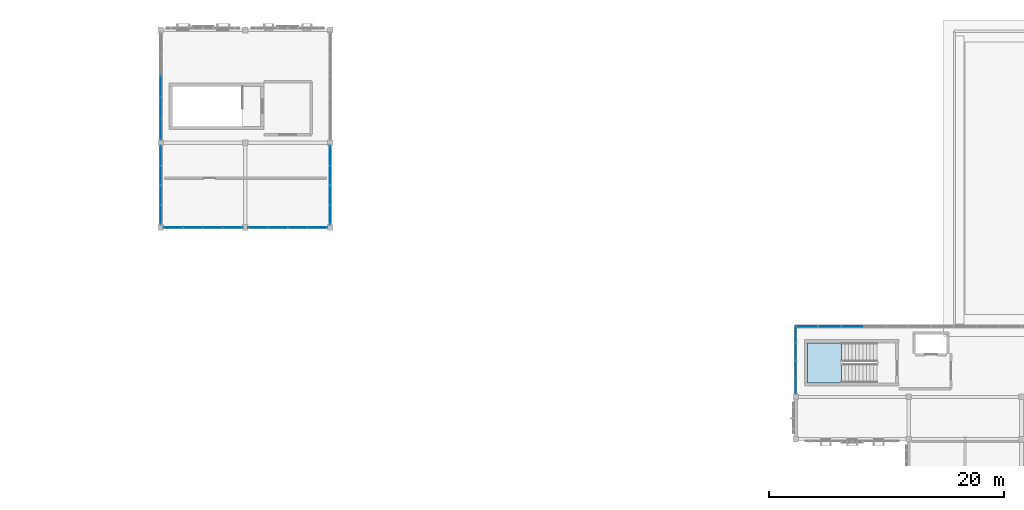
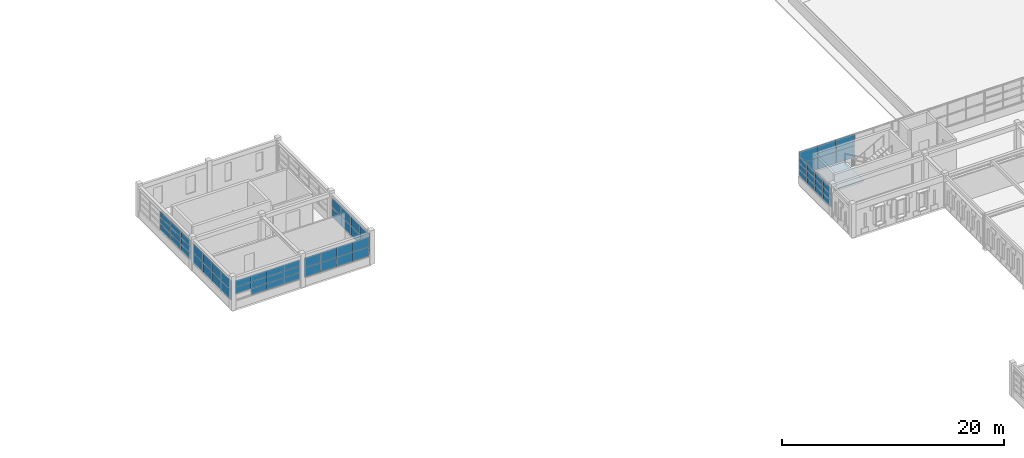
# One storey, part 21 of 53: 62 plates, 1 slab, 8 elements without a shape of their own.
"""IFC4 building model written with IfcOpenShell, lengths in metres."""

from ifc_helpers import new_model, si_unit, direction, frame, origin, origin_2d, place, context, subcontext, project, spatial, polyline, rectangle, outline, extrude, material, layer, layer_set, type_object, element, aggregate, save


model = new_model("IFC4")

# Units and contexts
model_context = context("Model", 3, precision=1e-05, world=origin(), true_north=direction((0.0, 1.0)))
body_context = subcontext(model_context, "Body", "Model", "MODEL_VIEW")
ifc_project = project(units=[si_unit("LENGTHUNIT", "METRE"), si_unit("AREAUNIT", "SQUARE_METRE"), si_unit("VOLUMEUNIT", "CUBIC_METRE"), si_unit("PLANEANGLEUNIT", "RADIAN"), si_unit("MASSUNIT", "GRAM", prefix="KILO")], contexts=[model_context])

# Site, building, storey
site_placement = place(None, origin())
site = spatial("IfcSite", under=ifc_project, at=site_placement, CompositionType="ELEMENT")
building_placement = place(site_placement, origin())
building = spatial("IfcBuilding", under=site, at=building_placement, Name="Nzembalo Square Collegiate School", CompositionType="ELEMENT")
storey_placement = place(building_placement, frame((0.0, 0.0, 13.60009765625)))
storey = spatial("IfcBuildingStorey", under=building, at=storey_placement, Name="L03", CompositionType="ELEMENT", Elevation=13.60009765625)

# Curtain wall, plates
ifc_material_1 = material(Name="Aluminium 6060-T66", Category="aluminium")
curtain_wall_type_1 = type_object("IfcCurtainWallType", Name="CW-02", PredefinedType="USERDEFINED", material=ifc_material_1)
curtain_wall_1_placement = place(storey_placement, origin())
curtain_wall_1 = element("IfcCurtainWall", 1, at=curtain_wall_1_placement, inside=storey, type_object=curtain_wall_type_1, Name="Curtain wall CW-02 cw:L03:121", ObjectType="UNITISED", PredefinedType="USERDEFINED")
ifc_material_2 = material(Name="Laminated solar-control double glazing", Category="glass")
ifc_layer_1 = layer(ifc_material_2, 0.028076171875, Name="Laminated solar-control double glazing")
ifc_layer_set_1 = layer_set([ifc_layer_1], Name="Laminated solar-control double glazing")
plate_type_1 = type_object("IfcPlateType", Name="PN01", PredefinedType="CURTAIN_PANEL", material=ifc_layer_set_1)
plate_1_placement = place(storey_placement, frame((130.800048828125, 83.76171875, 0.85400390625), z_axis=(0.0, 0.0, 1.0), x_axis=(0.0, 1.0, 0.0)))
plate_1 = element("IfcPlate", 2, at=plate_1_placement, type_object=plate_type_1, Name="PN01 glazed panel 1-1", PredefinedType="CURTAIN_PANEL", context=body_context, shape_type="SweptSolid", body=[
    extrude(rectangle(XDim=1.431396484375, YDim=0.028076171875, at=origin_2d()), origin(), (0.0, 0.0, 1.0), 0.6982421875),
])
plate_2_placement = place(storey_placement, frame((130.800048828125, 85.201171875, 0.85400390625), z_axis=(0.0, 0.0, 1.0), x_axis=(0.0, 1.0, 0.0)))
plate_2 = element("IfcPlate", 3, at=plate_2_placement, type_object=plate_type_1, Name="PN01 glazed panel 1-2", PredefinedType="CURTAIN_PANEL", context=body_context, shape_type="SweptSolid", body=[
    extrude(rectangle(XDim=1.431396484375, YDim=0.028076171875, at=origin_2d()), origin(), (0.0, 0.0, 1.0), 0.6982421875),
])
plate_3_placement = place(storey_placement, frame((130.800048828125, 86.640869140625, 0.85400390625), z_axis=(0.0, 0.0, 1.0), x_axis=(0.0, 1.0, 0.0)))
plate_3 = element("IfcPlate", 4, at=plate_3_placement, type_object=plate_type_1, Name="PN01 glazed panel 1-3", PredefinedType="CURTAIN_PANEL", context=body_context, shape_type="SweptSolid", body=[
    extrude(rectangle(XDim=1.431396484375, YDim=0.028076171875, at=origin_2d()), origin(), (0.0, 0.0, 1.0), 0.6982421875),
])
plate_4_placement = place(storey_placement, frame((130.800048828125, 88.080322265625, 0.85400390625), z_axis=(0.0, 0.0, 1.0), x_axis=(0.0, 1.0, 0.0)))
plate_4 = element("IfcPlate", 5, at=plate_4_placement, type_object=plate_type_1, Name="PN01 glazed panel 1-4", PredefinedType="CURTAIN_PANEL", context=body_context, shape_type="SweptSolid", body=[
    extrude(rectangle(XDim=1.431396484375, YDim=0.028076171875, at=origin_2d()), origin(), (0.0, 0.0, 1.0), 0.6982421875),
])
plate_5_placement = place(storey_placement, frame((130.800048828125, 83.76171875, 1.560302734375), z_axis=(0.0, 0.0, 1.0), x_axis=(0.0, 1.0, 0.0)))
plate_5 = element("IfcPlate", 6, at=plate_5_placement, type_object=plate_type_1, Name="PN01 glazed panel 2-1", PredefinedType="CURTAIN_PANEL", context=body_context, shape_type="SweptSolid", body=[
    extrude(rectangle(XDim=1.431396484375, YDim=0.028076171875, at=origin_2d()), origin(), (0.0, 0.0, 1.0), 0.6982421875),
])
plate_6_placement = place(storey_placement, frame((130.800048828125, 85.201171875, 1.560302734375), z_axis=(0.0, 0.0, 1.0), x_axis=(0.0, 1.0, 0.0)))
plate_6 = element("IfcPlate", 7, at=plate_6_placement, type_object=plate_type_1, Name="PN01 glazed panel 2-2", PredefinedType="CURTAIN_PANEL", context=body_context, shape_type="SweptSolid", body=[
    extrude(rectangle(XDim=1.431396484375, YDim=0.028076171875, at=origin_2d()), origin(), (0.0, 0.0, 1.0), 0.6982421875),
])
plate_7_placement = place(storey_placement, frame((130.800048828125, 86.640869140625, 1.560302734375), z_axis=(0.0, 0.0, 1.0), x_axis=(0.0, 1.0, 0.0)))
plate_7 = element("IfcPlate", 8, at=plate_7_placement, type_object=plate_type_1, Name="PN01 glazed panel 2-3", PredefinedType="CURTAIN_PANEL", context=body_context, shape_type="SweptSolid", body=[
    extrude(rectangle(XDim=1.431396484375, YDim=0.028076171875, at=origin_2d()), origin(), (0.0, 0.0, 1.0), 0.6982421875),
])
plate_8_placement = place(storey_placement, frame((130.800048828125, 88.080322265625, 1.560302734375), z_axis=(0.0, 0.0, 1.0), x_axis=(0.0, 1.0, 0.0)))
plate_8 = element("IfcPlate", 9, at=plate_8_placement, type_object=plate_type_1, Name="PN01 glazed panel 2-4", PredefinedType="CURTAIN_PANEL", context=body_context, shape_type="SweptSolid", body=[
    extrude(rectangle(XDim=1.431396484375, YDim=0.028076171875, at=origin_2d()), origin(), (0.0, 0.0, 1.0), 0.6982421875),
])
plate_9_placement = place(storey_placement, frame((130.800048828125, 83.76171875, 2.2666015625), z_axis=(0.0, 0.0, 1.0), x_axis=(0.0, 1.0, 0.0)))
plate_9 = element("IfcPlate", 10, at=plate_9_placement, type_object=plate_type_1, Name="PN01 glazed panel 3-1", PredefinedType="CURTAIN_PANEL", context=body_context, shape_type="SweptSolid", body=[
    extrude(rectangle(XDim=1.431396484375, YDim=0.028076171875, at=origin_2d()), origin(), (0.0, 0.0, 1.0), 0.6982421875),
])
plate_10_placement = place(storey_placement, frame((130.800048828125, 85.201171875, 2.2666015625), z_axis=(0.0, 0.0, 1.0), x_axis=(0.0, 1.0, 0.0)))
plate_10 = element("IfcPlate", 11, at=plate_10_placement, type_object=plate_type_1, Name="PN01 glazed panel 3-2", PredefinedType="CURTAIN_PANEL", context=body_context, shape_type="SweptSolid", body=[
    extrude(rectangle(XDim=1.431396484375, YDim=0.028076171875, at=origin_2d()), origin(), (0.0, 0.0, 1.0), 0.6982421875),
])
plate_11_placement = place(storey_placement, frame((130.800048828125, 86.640869140625, 2.2666015625), z_axis=(0.0, 0.0, 1.0), x_axis=(0.0, 1.0, 0.0)))
plate_11 = element("IfcPlate", 12, at=plate_11_placement, type_object=plate_type_1, Name="PN01 glazed panel 3-3", PredefinedType="CURTAIN_PANEL", context=body_context, shape_type="SweptSolid", body=[
    extrude(rectangle(XDim=1.431396484375, YDim=0.028076171875, at=origin_2d()), origin(), (0.0, 0.0, 1.0), 0.6982421875),
])
plate_12_placement = place(storey_placement, frame((130.800048828125, 88.080322265625, 2.2666015625), z_axis=(0.0, 0.0, 1.0), x_axis=(0.0, 1.0, 0.0)))
plate_12 = element("IfcPlate", 13, at=plate_12_placement, type_object=plate_type_1, Name="PN01 glazed panel 3-4", PredefinedType="CURTAIN_PANEL", context=body_context, shape_type="SweptSolid", body=[
    extrude(rectangle(XDim=1.431396484375, YDim=0.028076171875, at=origin_2d()), origin(), (0.0, 0.0, 1.0), 0.6982421875),
])
aggregate(curtain_wall_1, [plate_1, plate_2, plate_3, plate_4, plate_5, plate_6, plate_7, plate_8, plate_9, plate_10, plate_11, plate_12])

ifc_material_3 = material(Name="Aluminium 6060-T66", Category="aluminium")
curtain_wall_type_2 = type_object("IfcCurtainWallType", Name="CW-09", PredefinedType="USERDEFINED", material=ifc_material_3)
curtain_wall_2_placement = place(storey_placement, origin())
curtain_wall_2 = element("IfcCurtainWall", 14, at=curtain_wall_2_placement, inside=storey, type_object=curtain_wall_type_2, Name="Curtain wall CW-09 cw:L03:136", ObjectType="UNITISED", PredefinedType="USERDEFINED")
plate_13_placement = place(storey_placement, frame((76.800048828125, 105.5537109375, 0.85400390625), z_axis=(0.0, 0.0, 1.0), x_axis=(0.0, 1.0, 0.0)))
plate_13 = element("IfcPlate", 15, at=plate_13_placement, type_object=plate_type_1, Name="PN01 glazed panel 1-1", PredefinedType="CURTAIN_PANEL", context=body_context, shape_type="SweptSolid", body=[
    extrude(rectangle(XDim=1.815185546875, YDim=0.028076171875, at=origin_2d()), origin(), (0.0, 0.0, 1.0), 0.6982421875),
])
plate_14_placement = place(storey_placement, frame((76.800048828125, 107.376708984375, 0.85400390625), z_axis=(0.0, 0.0, 1.0), x_axis=(0.0, 1.0, 0.0)))
plate_14 = element("IfcPlate", 16, at=plate_14_placement, type_object=plate_type_1, Name="PN01 glazed panel 1-2", PredefinedType="CURTAIN_PANEL", context=body_context, shape_type="SweptSolid", body=[
    extrude(rectangle(XDim=1.815185546875, YDim=0.028076171875, at=origin_2d()), origin(), (0.0, 0.0, 1.0), 0.6982421875),
])
plate_15_placement = place(storey_placement, frame((76.800048828125, 109.199951171875, 0.85400390625), z_axis=(0.0, 0.0, 1.0), x_axis=(0.0, 1.0, 0.0)))
plate_15 = element("IfcPlate", 17, at=plate_15_placement, type_object=plate_type_1, Name="PN01 glazed panel 1-3", PredefinedType="CURTAIN_PANEL", context=body_context, shape_type="SweptSolid", body=[
    extrude(rectangle(XDim=1.815185546875, YDim=0.028076171875, at=origin_2d()), origin(), (0.0, 0.0, 1.0), 0.6982421875),
])
plate_16_placement = place(storey_placement, frame((76.800048828125, 105.5537109375, 1.560302734375), z_axis=(0.0, 0.0, 1.0), x_axis=(0.0, 1.0, 0.0)))
plate_16 = element("IfcPlate", 18, at=plate_16_placement, type_object=plate_type_1, Name="PN01 glazed panel 2-1", PredefinedType="CURTAIN_PANEL", context=body_context, shape_type="SweptSolid", body=[
    extrude(rectangle(XDim=1.815185546875, YDim=0.028076171875, at=origin_2d()), origin(), (0.0, 0.0, 1.0), 0.6982421875),
])
plate_17_placement = place(storey_placement, frame((76.800048828125, 107.376708984375, 1.560302734375), z_axis=(0.0, 0.0, 1.0), x_axis=(0.0, 1.0, 0.0)))
plate_17 = element("IfcPlate", 19, at=plate_17_placement, type_object=plate_type_1, Name="PN01 glazed panel 2-2", PredefinedType="CURTAIN_PANEL", context=body_context, shape_type="SweptSolid", body=[
    extrude(rectangle(XDim=1.815185546875, YDim=0.028076171875, at=origin_2d()), origin(), (0.0, 0.0, 1.0), 0.6982421875),
])
plate_18_placement = place(storey_placement, frame((76.800048828125, 109.199951171875, 1.560302734375), z_axis=(0.0, 0.0, 1.0), x_axis=(0.0, 1.0, 0.0)))
plate_18 = element("IfcPlate", 20, at=plate_18_placement, type_object=plate_type_1, Name="PN01 glazed panel 2-3", PredefinedType="CURTAIN_PANEL", context=body_context, shape_type="SweptSolid", body=[
    extrude(rectangle(XDim=1.815185546875, YDim=0.028076171875, at=origin_2d()), origin(), (0.0, 0.0, 1.0), 0.6982421875),
])
plate_19_placement = place(storey_placement, frame((76.800048828125, 105.5537109375, 2.2666015625), z_axis=(0.0, 0.0, 1.0), x_axis=(0.0, 1.0, 0.0)))
plate_19 = element("IfcPlate", 21, at=plate_19_placement, type_object=plate_type_1, Name="PN01 glazed panel 3-1", PredefinedType="CURTAIN_PANEL", context=body_context, shape_type="SweptSolid", body=[
    extrude(rectangle(XDim=1.815185546875, YDim=0.028076171875, at=origin_2d()), origin(), (0.0, 0.0, 1.0), 0.6982421875),
])
plate_20_placement = place(storey_placement, frame((76.800048828125, 107.376708984375, 2.2666015625), z_axis=(0.0, 0.0, 1.0), x_axis=(0.0, 1.0, 0.0)))
plate_20 = element("IfcPlate", 22, at=plate_20_placement, type_object=plate_type_1, Name="PN01 glazed panel 3-2", PredefinedType="CURTAIN_PANEL", context=body_context, shape_type="SweptSolid", body=[
    extrude(rectangle(XDim=1.815185546875, YDim=0.028076171875, at=origin_2d()), origin(), (0.0, 0.0, 1.0), 0.6982421875),
])
plate_21_placement = place(storey_placement, frame((76.800048828125, 109.199951171875, 2.2666015625), z_axis=(0.0, 0.0, 1.0), x_axis=(0.0, 1.0, 0.0)))
plate_21 = element("IfcPlate", 23, at=plate_21_placement, type_object=plate_type_1, Name="PN01 glazed panel 3-3", PredefinedType="CURTAIN_PANEL", context=body_context, shape_type="SweptSolid", body=[
    extrude(rectangle(XDim=1.815185546875, YDim=0.028076171875, at=origin_2d()), origin(), (0.0, 0.0, 1.0), 0.6982421875),
])
aggregate(curtain_wall_2, [plate_13, plate_14, plate_15, plate_16, plate_17, plate_18, plate_19, plate_20, plate_21])

ifc_material_4 = material(Name="Aluminium 6060-T66", Category="aluminium")
curtain_wall_type_3 = type_object("IfcCurtainWallType", Name="CW-11", PredefinedType="USERDEFINED", material=ifc_material_4)
curtain_wall_3_placement = place(storey_placement, origin())
curtain_wall_3 = element("IfcCurtainWall", 24, at=curtain_wall_3_placement, inside=storey, type_object=curtain_wall_type_3, Name="Curtain wall CW-11 cw:L03:122", ObjectType="LANCET", PredefinedType="USERDEFINED")
ifc_material_5 = material(Name="Acoustic laminated solar-control glazing", Category="glass")
ifc_layer_2 = layer(ifc_material_5, 0.031982421875, Name="Acoustic laminated solar-control glazing")
ifc_layer_set_2 = layer_set([ifc_layer_2], Name="Acoustic laminated solar-control glazing")
plate_type_2 = type_object("IfcPlateType", Name="PN02", PredefinedType="CURTAIN_PANEL", material=ifc_layer_set_2)
plate_22_placement = place(storey_placement, frame((131.760009765625, 88.800048828125, 0.85400390625), z_axis=(0.0, 0.0, 1.0), x_axis=(1.0, 0.0, 0.0)))
plate_22 = element("IfcPlate", 25, at=plate_22_placement, type_object=plate_type_2, Name="PN02 glazed panel 1-1", PredefinedType="CURTAIN_PANEL", context=body_context, shape_type="SweptSolid", body=[
    extrude(rectangle(XDim=1.912109375, YDim=0.031982421875, at=origin_2d()), origin(), (0.0, 0.0, 1.0), 1.283935546875),
])
plate_23_placement = place(storey_placement, frame((133.679931640625, 88.800048828125, 0.85400390625), z_axis=(0.0, 0.0, 1.0), x_axis=(1.0, 0.0, 0.0)))
plate_23 = element("IfcPlate", 26, at=plate_23_placement, type_object=plate_type_2, Name="PN02 glazed panel 1-2", PredefinedType="CURTAIN_PANEL", context=body_context, shape_type="SweptSolid", body=[
    extrude(rectangle(XDim=1.912109375, YDim=0.031982421875, at=origin_2d()), origin(), (0.0, 0.0, 1.0), 1.283935546875),
])
plate_24_placement = place(storey_placement, frame((135.60009765625, 88.800048828125, 0.85400390625), z_axis=(0.0, 0.0, 1.0), x_axis=(1.0, 0.0, 0.0)))
plate_24 = element("IfcPlate", 27, at=plate_24_placement, type_object=plate_type_2, Name="PN02 glazed panel 1-3", PredefinedType="CURTAIN_PANEL", context=body_context, shape_type="SweptSolid", body=[
    extrude(rectangle(XDim=1.912109375, YDim=0.031982421875, at=origin_2d()), origin(), (0.0, 0.0, 1.0), 1.283935546875),
])
plate_25_placement = place(storey_placement, frame((131.760009765625, 88.800048828125, 2.14599609375), z_axis=(0.0, 0.0, 1.0), x_axis=(1.0, 0.0, 0.0)))
plate_25 = element("IfcPlate", 28, at=plate_25_placement, type_object=plate_type_2, Name="PN02 glazed panel 2-1", PredefinedType="CURTAIN_PANEL", context=body_context, shape_type="SweptSolid", body=[
    extrude(rectangle(XDim=1.912109375, YDim=0.031982421875, at=origin_2d()), origin(), (0.0, 0.0, 1.0), 1.283935546875),
])
plate_26_placement = place(storey_placement, frame((133.679931640625, 88.800048828125, 2.14599609375), z_axis=(0.0, 0.0, 1.0), x_axis=(1.0, 0.0, 0.0)))
plate_26 = element("IfcPlate", 29, at=plate_26_placement, type_object=plate_type_2, Name="PN02 glazed panel 2-2", PredefinedType="CURTAIN_PANEL", context=body_context, shape_type="SweptSolid", body=[
    extrude(rectangle(XDim=1.912109375, YDim=0.031982421875, at=origin_2d()), origin(), (0.0, 0.0, 1.0), 1.283935546875),
])
plate_27_placement = place(storey_placement, frame((135.60009765625, 88.800048828125, 2.14599609375), z_axis=(0.0, 0.0, 1.0), x_axis=(1.0, 0.0, 0.0)))
plate_27 = element("IfcPlate", 30, at=plate_27_placement, type_object=plate_type_2, Name="PN02 glazed panel 2-3", PredefinedType="CURTAIN_PANEL", context=body_context, shape_type="SweptSolid", body=[
    extrude(rectangle(XDim=1.912109375, YDim=0.031982421875, at=origin_2d()), origin(), (0.0, 0.0, 1.0), 1.283935546875),
])
aggregate(curtain_wall_3, [plate_22, plate_23, plate_24, plate_25, plate_26, plate_27])

ifc_material_6 = material(Name="Aluminium 6060-T66", Category="aluminium")
curtain_wall_type_4 = type_object("IfcCurtainWallType", Name="CW-04", PredefinedType="USERDEFINED", material=ifc_material_6)
curtain_wall_4_placement = place(storey_placement, origin())
curtain_wall_4 = element("IfcCurtainWall", 31, at=curtain_wall_4_placement, inside=storey, type_object=curtain_wall_type_4, Name="Curtain wall CW-04 cw:L03:131", ObjectType="UNITISED", PredefinedType="USERDEFINED")
plate_28_placement = place(storey_placement, frame((91.199951171875, 98.281494140625, 0.85400390625), z_axis=(0.0, 0.0, 1.0), x_axis=(0.0, 1.0, 0.0)))
plate_28 = element("IfcPlate", 32, at=plate_28_placement, type_object=plate_type_2, Name="PN02 glazed panel 1-1", PredefinedType="CURTAIN_PANEL", context=body_context, shape_type="SweptSolid", body=[
    extrude(rectangle(XDim=1.6708984375, YDim=0.031982421875, at=origin_2d()), origin(), (0.0, 0.0, 1.0), 1.071533203125),
])
plate_29_placement = place(storey_placement, frame((91.199951171875, 99.96044921875, 0.85400390625), z_axis=(0.0, 0.0, 1.0), x_axis=(0.0, 1.0, 0.0)))
plate_29 = element("IfcPlate", 33, at=plate_29_placement, type_object=plate_type_2, Name="PN02 glazed panel 1-2", PredefinedType="CURTAIN_PANEL", context=body_context, shape_type="SweptSolid", body=[
    extrude(rectangle(XDim=1.6708984375, YDim=0.031982421875, at=origin_2d()), origin(), (0.0, 0.0, 1.0), 1.071533203125),
])
plate_30_placement = place(storey_placement, frame((91.199951171875, 101.639404296875, 0.85400390625), z_axis=(0.0, 0.0, 1.0), x_axis=(0.0, 1.0, 0.0)))
plate_30 = element("IfcPlate", 34, at=plate_30_placement, type_object=plate_type_2, Name="PN02 glazed panel 1-3", PredefinedType="CURTAIN_PANEL", context=body_context, shape_type="SweptSolid", body=[
    extrude(rectangle(XDim=1.6708984375, YDim=0.031982421875, at=origin_2d()), origin(), (0.0, 0.0, 1.0), 1.071533203125),
])
plate_31_placement = place(storey_placement, frame((91.199951171875, 103.318603515625, 0.85400390625), z_axis=(0.0, 0.0, 1.0), x_axis=(0.0, 1.0, 0.0)))
plate_31 = element("IfcPlate", 35, at=plate_31_placement, type_object=plate_type_2, Name="PN02 glazed panel 1-4", PredefinedType="CURTAIN_PANEL", context=body_context, shape_type="SweptSolid", body=[
    extrude(rectangle(XDim=1.6708984375, YDim=0.031982421875, at=origin_2d()), origin(), (0.0, 0.0, 1.0), 1.071533203125),
])
plate_32_placement = place(storey_placement, frame((91.199951171875, 98.281494140625, 1.93359375), z_axis=(0.0, 0.0, 1.0), x_axis=(0.0, 1.0, 0.0)))
plate_32 = element("IfcPlate", 36, at=plate_32_placement, type_object=plate_type_2, Name="PN02 glazed panel 2-1", PredefinedType="CURTAIN_PANEL", context=body_context, shape_type="SweptSolid", body=[
    extrude(rectangle(XDim=1.6708984375, YDim=0.031982421875, at=origin_2d()), origin(), (0.0, 0.0, 1.0), 1.071533203125),
])
plate_33_placement = place(storey_placement, frame((91.199951171875, 99.96044921875, 1.93359375), z_axis=(0.0, 0.0, 1.0), x_axis=(0.0, 1.0, 0.0)))
plate_33 = element("IfcPlate", 37, at=plate_33_placement, type_object=plate_type_2, Name="PN02 glazed panel 2-2", PredefinedType="CURTAIN_PANEL", context=body_context, shape_type="SweptSolid", body=[
    extrude(rectangle(XDim=1.6708984375, YDim=0.031982421875, at=origin_2d()), origin(), (0.0, 0.0, 1.0), 1.071533203125),
])
plate_34_placement = place(storey_placement, frame((91.199951171875, 101.639404296875, 1.93359375), z_axis=(0.0, 0.0, 1.0), x_axis=(0.0, 1.0, 0.0)))
plate_34 = element("IfcPlate", 38, at=plate_34_placement, type_object=plate_type_2, Name="PN02 glazed panel 2-3", PredefinedType="CURTAIN_PANEL", context=body_context, shape_type="SweptSolid", body=[
    extrude(rectangle(XDim=1.6708984375, YDim=0.031982421875, at=origin_2d()), origin(), (0.0, 0.0, 1.0), 1.071533203125),
])
plate_35_placement = place(storey_placement, frame((91.199951171875, 103.318603515625, 1.93359375), z_axis=(0.0, 0.0, 1.0), x_axis=(0.0, 1.0, 0.0)))
plate_35 = element("IfcPlate", 39, at=plate_35_placement, type_object=plate_type_2, Name="PN02 glazed panel 2-4", PredefinedType="CURTAIN_PANEL", context=body_context, shape_type="SweptSolid", body=[
    extrude(rectangle(XDim=1.6708984375, YDim=0.031982421875, at=origin_2d()), origin(), (0.0, 0.0, 1.0), 1.071533203125),
])
aggregate(curtain_wall_4, [plate_28, plate_29, plate_30, plate_31, plate_32, plate_33, plate_34, plate_35])

ifc_material_7 = material(Name="Aluminium 6060-T66", Category="aluminium")
curtain_wall_type_5 = type_object("IfcCurtainWallType", Name="CW-06", PredefinedType="USERDEFINED", material=ifc_material_7)
curtain_wall_5_placement = place(storey_placement, origin())
curtain_wall_5 = element("IfcCurtainWall", 40, at=curtain_wall_5_placement, inside=storey, type_object=curtain_wall_type_5, Name="Curtain wall CW-06 cw:L03:133", ObjectType="LANCET", PredefinedType="USERDEFINED")
plate_36_placement = place(storey_placement, frame((79.560546875, 97.199951171875, 0.85400390625), z_axis=(0.0, 0.0, 1.0), x_axis=(1.0, 0.0, 0.0)))
plate_36 = element("IfcPlate", 41, at=plate_36_placement, type_object=plate_type_2, Name="PN02 glazed panel 1-2", PredefinedType="CURTAIN_PANEL", context=body_context, shape_type="SweptSolid", body=[
    extrude(rectangle(XDim=1.6708984375, YDim=0.031982421875, at=origin_2d()), origin(), (0.0, 0.0, 1.0), 0.711669921875),
])
plate_37_placement = place(storey_placement, frame((81.239501953125, 97.199951171875, 0.85400390625), z_axis=(0.0, 0.0, 1.0), x_axis=(1.0, 0.0, 0.0)))
plate_37 = element("IfcPlate", 42, at=plate_37_placement, type_object=plate_type_2, Name="PN02 glazed panel 1-3", PredefinedType="CURTAIN_PANEL", context=body_context, shape_type="SweptSolid", body=[
    extrude(rectangle(XDim=1.6708984375, YDim=0.031982421875, at=origin_2d()), origin(), (0.0, 0.0, 1.0), 0.711669921875),
])
plate_38_placement = place(storey_placement, frame((82.91845703125, 97.199951171875, 0.85400390625), z_axis=(0.0, 0.0, 1.0), x_axis=(1.0, 0.0, 0.0)))
plate_38 = element("IfcPlate", 43, at=plate_38_placement, type_object=plate_type_2, Name="PN02 glazed panel 1-4", PredefinedType="CURTAIN_PANEL", context=body_context, shape_type="SweptSolid", body=[
    extrude(rectangle(XDim=1.6708984375, YDim=0.031982421875, at=origin_2d()), origin(), (0.0, 0.0, 1.0), 0.711669921875),
])
plate_39_placement = place(storey_placement, frame((77.881591796875, 97.199951171875, 1.57373046875), z_axis=(0.0, 0.0, 1.0), x_axis=(1.0, 0.0, 0.0)))
plate_39 = element("IfcPlate", 44, at=plate_39_placement, type_object=plate_type_2, Name="PN02 glazed panel 2-1", PredefinedType="CURTAIN_PANEL", context=body_context, shape_type="SweptSolid", body=[
    extrude(rectangle(XDim=1.6708984375, YDim=0.031982421875, at=origin_2d()), origin(), (0.0, 0.0, 1.0), 0.711669921875),
])
plate_40_placement = place(storey_placement, frame((79.560546875, 97.199951171875, 1.57373046875), z_axis=(0.0, 0.0, 1.0), x_axis=(1.0, 0.0, 0.0)))
plate_40 = element("IfcPlate", 45, at=plate_40_placement, type_object=plate_type_2, Name="PN02 glazed panel 2-2", PredefinedType="CURTAIN_PANEL", context=body_context, shape_type="SweptSolid", body=[
    extrude(rectangle(XDim=1.6708984375, YDim=0.031982421875, at=origin_2d()), origin(), (0.0, 0.0, 1.0), 0.711669921875),
])
plate_41_placement = place(storey_placement, frame((81.239501953125, 97.199951171875, 1.57373046875), z_axis=(0.0, 0.0, 1.0), x_axis=(1.0, 0.0, 0.0)))
plate_41 = element("IfcPlate", 46, at=plate_41_placement, type_object=plate_type_2, Name="PN02 glazed panel 2-3", PredefinedType="CURTAIN_PANEL", context=body_context, shape_type="SweptSolid", body=[
    extrude(rectangle(XDim=1.6708984375, YDim=0.031982421875, at=origin_2d()), origin(), (0.0, 0.0, 1.0), 0.711669921875),
])
plate_42_placement = place(storey_placement, frame((82.91845703125, 97.199951171875, 1.57373046875), z_axis=(0.0, 0.0, 1.0), x_axis=(1.0, 0.0, 0.0)))
plate_42 = element("IfcPlate", 47, at=plate_42_placement, type_object=plate_type_2, Name="PN02 glazed panel 2-4", PredefinedType="CURTAIN_PANEL", context=body_context, shape_type="SweptSolid", body=[
    extrude(rectangle(XDim=1.6708984375, YDim=0.031982421875, at=origin_2d()), origin(), (0.0, 0.0, 1.0), 0.711669921875),
])
plate_43_placement = place(storey_placement, frame((77.881591796875, 97.199951171875, 2.29345703125), z_axis=(0.0, 0.0, 1.0), x_axis=(1.0, 0.0, 0.0)))
plate_43 = element("IfcPlate", 48, at=plate_43_placement, type_object=plate_type_2, Name="PN02 glazed panel 3-1", PredefinedType="CURTAIN_PANEL", context=body_context, shape_type="SweptSolid", body=[
    extrude(rectangle(XDim=1.6708984375, YDim=0.031982421875, at=origin_2d()), origin(), (0.0, 0.0, 1.0), 0.711669921875),
])
plate_44_placement = place(storey_placement, frame((79.560546875, 97.199951171875, 2.29345703125), z_axis=(0.0, 0.0, 1.0), x_axis=(1.0, 0.0, 0.0)))
plate_44 = element("IfcPlate", 49, at=plate_44_placement, type_object=plate_type_2, Name="PN02 glazed panel 3-2", PredefinedType="CURTAIN_PANEL", context=body_context, shape_type="SweptSolid", body=[
    extrude(rectangle(XDim=1.6708984375, YDim=0.031982421875, at=origin_2d()), origin(), (0.0, 0.0, 1.0), 0.711669921875),
])
plate_45_placement = place(storey_placement, frame((81.239501953125, 97.199951171875, 2.29345703125), z_axis=(0.0, 0.0, 1.0), x_axis=(1.0, 0.0, 0.0)))
plate_45 = element("IfcPlate", 50, at=plate_45_placement, type_object=plate_type_2, Name="PN02 glazed panel 3-3", PredefinedType="CURTAIN_PANEL", context=body_context, shape_type="SweptSolid", body=[
    extrude(rectangle(XDim=1.6708984375, YDim=0.031982421875, at=origin_2d()), origin(), (0.0, 0.0, 1.0), 0.711669921875),
])
plate_46_placement = place(storey_placement, frame((82.91845703125, 97.199951171875, 2.29345703125), z_axis=(0.0, 0.0, 1.0), x_axis=(1.0, 0.0, 0.0)))
plate_46 = element("IfcPlate", 51, at=plate_46_placement, type_object=plate_type_2, Name="PN02 glazed panel 3-4", PredefinedType="CURTAIN_PANEL", context=body_context, shape_type="SweptSolid", body=[
    extrude(rectangle(XDim=1.6708984375, YDim=0.031982421875, at=origin_2d()), origin(), (0.0, 0.0, 1.0), 0.711669921875),
])
aggregate(curtain_wall_5, [plate_36, plate_37, plate_38, plate_39, plate_40, plate_41, plate_42, plate_43, plate_44, plate_45, plate_46])

ifc_material_8 = material(Name="Aluminium 6060-T66", Category="aluminium")
curtain_wall_type_6 = type_object("IfcCurtainWallType", Name="CW-07", PredefinedType="USERDEFINED", material=ifc_material_8)
curtain_wall_6_placement = place(storey_placement, origin())
curtain_wall_6 = element("IfcCurtainWall", 52, at=curtain_wall_6_placement, inside=storey, type_object=curtain_wall_type_6, Name="Curtain wall CW-07 cw:L03:134", ObjectType="LANCET", PredefinedType="USERDEFINED")
plate_47_placement = place(storey_placement, frame((85.08154296875, 97.199951171875, 0.85400390625), z_axis=(0.0, 0.0, 1.0), x_axis=(1.0, 0.0, 0.0)))
plate_47 = element("IfcPlate", 53, at=plate_47_placement, type_object=plate_type_2, Name="PN02 glazed panel 1-1", PredefinedType="CURTAIN_PANEL", context=body_context, shape_type="SweptSolid", body=[
    extrude(rectangle(XDim=1.6708984375, YDim=0.031982421875, at=origin_2d()), origin(), (0.0, 0.0, 1.0), 1.071533203125),
])
plate_48_placement = place(storey_placement, frame((86.760498046875, 97.199951171875, 0.85400390625), z_axis=(0.0, 0.0, 1.0), x_axis=(1.0, 0.0, 0.0)))
plate_48 = element("IfcPlate", 54, at=plate_48_placement, type_object=plate_type_2, Name="PN02 glazed panel 1-2", PredefinedType="CURTAIN_PANEL", context=body_context, shape_type="SweptSolid", body=[
    extrude(rectangle(XDim=1.6708984375, YDim=0.031982421875, at=origin_2d()), origin(), (0.0, 0.0, 1.0), 1.071533203125),
])
plate_49_placement = place(storey_placement, frame((88.439453125, 97.199951171875, 0.85400390625), z_axis=(0.0, 0.0, 1.0), x_axis=(1.0, 0.0, 0.0)))
plate_49 = element("IfcPlate", 55, at=plate_49_placement, type_object=plate_type_2, Name="PN02 glazed panel 1-3", PredefinedType="CURTAIN_PANEL", context=body_context, shape_type="SweptSolid", body=[
    extrude(rectangle(XDim=1.6708984375, YDim=0.031982421875, at=origin_2d()), origin(), (0.0, 0.0, 1.0), 1.071533203125),
])
plate_50_placement = place(storey_placement, frame((90.118408203125, 97.199951171875, 0.85400390625), z_axis=(0.0, 0.0, 1.0), x_axis=(1.0, 0.0, 0.0)))
plate_50 = element("IfcPlate", 56, at=plate_50_placement, type_object=plate_type_2, Name="PN02 glazed panel 1-4", PredefinedType="CURTAIN_PANEL", context=body_context, shape_type="SweptSolid", body=[
    extrude(rectangle(XDim=1.6708984375, YDim=0.031982421875, at=origin_2d()), origin(), (0.0, 0.0, 1.0), 1.071533203125),
])
plate_51_placement = place(storey_placement, frame((85.08154296875, 97.199951171875, 1.93359375), z_axis=(0.0, 0.0, 1.0), x_axis=(1.0, 0.0, 0.0)))
plate_51 = element("IfcPlate", 57, at=plate_51_placement, type_object=plate_type_2, Name="PN02 glazed panel 2-1", PredefinedType="CURTAIN_PANEL", context=body_context, shape_type="SweptSolid", body=[
    extrude(rectangle(XDim=1.6708984375, YDim=0.031982421875, at=origin_2d()), origin(), (0.0, 0.0, 1.0), 1.071533203125),
])
plate_52_placement = place(storey_placement, frame((86.760498046875, 97.199951171875, 1.93359375), z_axis=(0.0, 0.0, 1.0), x_axis=(1.0, 0.0, 0.0)))
plate_52 = element("IfcPlate", 58, at=plate_52_placement, type_object=plate_type_2, Name="PN02 glazed panel 2-2", PredefinedType="CURTAIN_PANEL", context=body_context, shape_type="SweptSolid", body=[
    extrude(rectangle(XDim=1.6708984375, YDim=0.031982421875, at=origin_2d()), origin(), (0.0, 0.0, 1.0), 1.071533203125),
])
plate_53_placement = place(storey_placement, frame((88.439453125, 97.199951171875, 1.93359375), z_axis=(0.0, 0.0, 1.0), x_axis=(1.0, 0.0, 0.0)))
plate_53 = element("IfcPlate", 59, at=plate_53_placement, type_object=plate_type_2, Name="PN02 glazed panel 2-3", PredefinedType="CURTAIN_PANEL", context=body_context, shape_type="SweptSolid", body=[
    extrude(rectangle(XDim=1.6708984375, YDim=0.031982421875, at=origin_2d()), origin(), (0.0, 0.0, 1.0), 1.071533203125),
])
plate_54_placement = place(storey_placement, frame((90.118408203125, 97.199951171875, 1.93359375), z_axis=(0.0, 0.0, 1.0), x_axis=(1.0, 0.0, 0.0)))
plate_54 = element("IfcPlate", 60, at=plate_54_placement, type_object=plate_type_2, Name="PN02 glazed panel 2-4", PredefinedType="CURTAIN_PANEL", context=body_context, shape_type="SweptSolid", body=[
    extrude(rectangle(XDim=1.6708984375, YDim=0.031982421875, at=origin_2d()), origin(), (0.0, 0.0, 1.0), 1.071533203125),
])
aggregate(curtain_wall_6, [plate_47, plate_48, plate_49, plate_50, plate_51, plate_52, plate_53, plate_54])

ifc_material_9 = material(Name="Aluminium 6060-T66", Category="aluminium")
curtain_wall_type_7 = type_object("IfcCurtainWallType", Name="CW-08", PredefinedType="USERDEFINED", material=ifc_material_9)
curtain_wall_7_placement = place(storey_placement, origin())
curtain_wall_7 = element("IfcCurtainWall", 61, at=curtain_wall_7_placement, inside=storey, type_object=curtain_wall_type_7, Name="Curtain wall CW-08 cw:L03:135", ObjectType="LANCET", PredefinedType="USERDEFINED")
plate_55_placement = place(storey_placement, frame((76.800048828125, 98.281494140625, 0.85400390625), z_axis=(0.0, 0.0, 1.0), x_axis=(0.0, 1.0, 0.0)))
plate_55 = element("IfcPlate", 62, at=plate_55_placement, type_object=plate_type_2, Name="PN02 glazed panel 1-1", PredefinedType="CURTAIN_PANEL", context=body_context, shape_type="SweptSolid", body=[
    extrude(rectangle(XDim=1.6708984375, YDim=0.031982421875, at=origin_2d()), origin(), (0.0, 0.0, 1.0), 1.071533203125),
])
plate_56_placement = place(storey_placement, frame((76.800048828125, 99.96044921875, 0.85400390625), z_axis=(0.0, 0.0, 1.0), x_axis=(0.0, 1.0, 0.0)))
plate_56 = element("IfcPlate", 63, at=plate_56_placement, type_object=plate_type_2, Name="PN02 glazed panel 1-2", PredefinedType="CURTAIN_PANEL", context=body_context, shape_type="SweptSolid", body=[
    extrude(rectangle(XDim=1.6708984375, YDim=0.031982421875, at=origin_2d()), origin(), (0.0, 0.0, 1.0), 1.071533203125),
])
plate_57_placement = place(storey_placement, frame((76.800048828125, 101.639404296875, 0.85400390625), z_axis=(0.0, 0.0, 1.0), x_axis=(0.0, 1.0, 0.0)))
plate_57 = element("IfcPlate", 64, at=plate_57_placement, type_object=plate_type_2, Name="PN02 glazed panel 1-3", PredefinedType="CURTAIN_PANEL", context=body_context, shape_type="SweptSolid", body=[
    extrude(rectangle(XDim=1.6708984375, YDim=0.031982421875, at=origin_2d()), origin(), (0.0, 0.0, 1.0), 1.071533203125),
])
plate_58_placement = place(storey_placement, frame((76.800048828125, 103.318603515625, 0.85400390625), z_axis=(0.0, 0.0, 1.0), x_axis=(0.0, 1.0, 0.0)))
plate_58 = element("IfcPlate", 65, at=plate_58_placement, type_object=plate_type_2, Name="PN02 glazed panel 1-4", PredefinedType="CURTAIN_PANEL", context=body_context, shape_type="SweptSolid", body=[
    extrude(rectangle(XDim=1.6708984375, YDim=0.031982421875, at=origin_2d()), origin(), (0.0, 0.0, 1.0), 1.071533203125),
])
plate_59_placement = place(storey_placement, frame((76.800048828125, 98.281494140625, 1.93359375), z_axis=(0.0, 0.0, 1.0), x_axis=(0.0, 1.0, 0.0)))
plate_59 = element("IfcPlate", 66, at=plate_59_placement, type_object=plate_type_2, Name="PN02 glazed panel 2-1", PredefinedType="CURTAIN_PANEL", context=body_context, shape_type="SweptSolid", body=[
    extrude(rectangle(XDim=1.6708984375, YDim=0.031982421875, at=origin_2d()), origin(), (0.0, 0.0, 1.0), 1.071533203125),
])
plate_60_placement = place(storey_placement, frame((76.800048828125, 99.96044921875, 1.93359375), z_axis=(0.0, 0.0, 1.0), x_axis=(0.0, 1.0, 0.0)))
plate_60 = element("IfcPlate", 67, at=plate_60_placement, type_object=plate_type_2, Name="PN02 glazed panel 2-2", PredefinedType="CURTAIN_PANEL", context=body_context, shape_type="SweptSolid", body=[
    extrude(rectangle(XDim=1.6708984375, YDim=0.031982421875, at=origin_2d()), origin(), (0.0, 0.0, 1.0), 1.071533203125),
])
plate_61_placement = place(storey_placement, frame((76.800048828125, 101.639404296875, 1.93359375), z_axis=(0.0, 0.0, 1.0), x_axis=(0.0, 1.0, 0.0)))
plate_61 = element("IfcPlate", 68, at=plate_61_placement, type_object=plate_type_2, Name="PN02 glazed panel 2-3", PredefinedType="CURTAIN_PANEL", context=body_context, shape_type="SweptSolid", body=[
    extrude(rectangle(XDim=1.6708984375, YDim=0.031982421875, at=origin_2d()), origin(), (0.0, 0.0, 1.0), 1.071533203125),
])
plate_62_placement = place(storey_placement, frame((76.800048828125, 103.318603515625, 1.93359375), z_axis=(0.0, 0.0, 1.0), x_axis=(0.0, 1.0, 0.0)))
plate_62 = element("IfcPlate", 69, at=plate_62_placement, type_object=plate_type_2, Name="PN02 glazed panel 2-4", PredefinedType="CURTAIN_PANEL", context=body_context, shape_type="SweptSolid", body=[
    extrude(rectangle(XDim=1.6708984375, YDim=0.031982421875, at=origin_2d()), origin(), (0.0, 0.0, 1.0), 1.071533203125),
])
aggregate(curtain_wall_7, [plate_55, plate_56, plate_57, plate_58, plate_59, plate_60, plate_61, plate_62])

# Stair, slab
ifc_material_10 = material(Name="Precast concrete C40/50", Category="concrete")
stair_type = type_object("IfcStairType", Name="ST-22R", PredefinedType="HALF_TURN_STAIR", material=ifc_material_10)
stair_placement = place(storey_placement, origin())
stair = element("IfcStair", 70, at=stair_placement, inside=storey, type_object=stair_type, Name="Escape stair ST-16 (C4 L03)", PredefinedType="HALF_TURN_STAIR")
ifc_material_11 = material(Name="Precast concrete C40/50", Category="concrete")
ifc_layer_3 = layer(ifc_material_11, 0.199951171875, Name="Precast concrete C40/50")
ifc_layer_set_3 = layer_set([ifc_layer_3], Name="Precast concrete C40/50")
slab_type = type_object("IfcSlabType", Name="SL-LDG", PredefinedType="LANDING", material=ifc_layer_set_3)
slab_placement = place(storey_placement, frame((0.0, 0.0, 1.669921875)))
slab = element("IfcSlab", 71, at=slab_placement, type_object=slab_type, Name="ST-16 landing 1", PredefinedType="LANDING", context=body_context, shape_type="SweptSolid", body=[
    extrude(outline(polyline([(134.699951171875, 87.39990234375), (131.800048828125, 87.39990234375), (131.800048828125, 84.0), (134.699951171875, 84.0), (134.699951171875, 87.39990234375)])), origin(), (0.0, 0.0, 1.0), 0.199951171875),
])
aggregate(stair, [slab])

save(model, "model.ifc")
